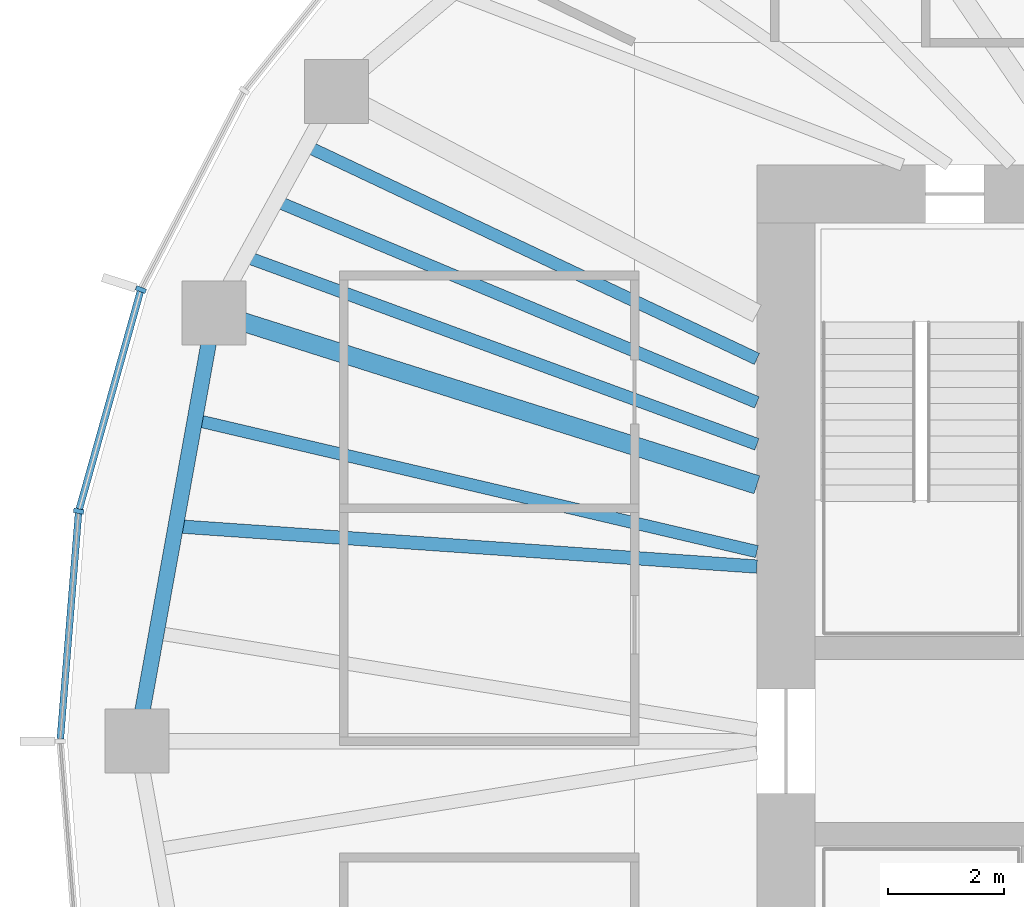
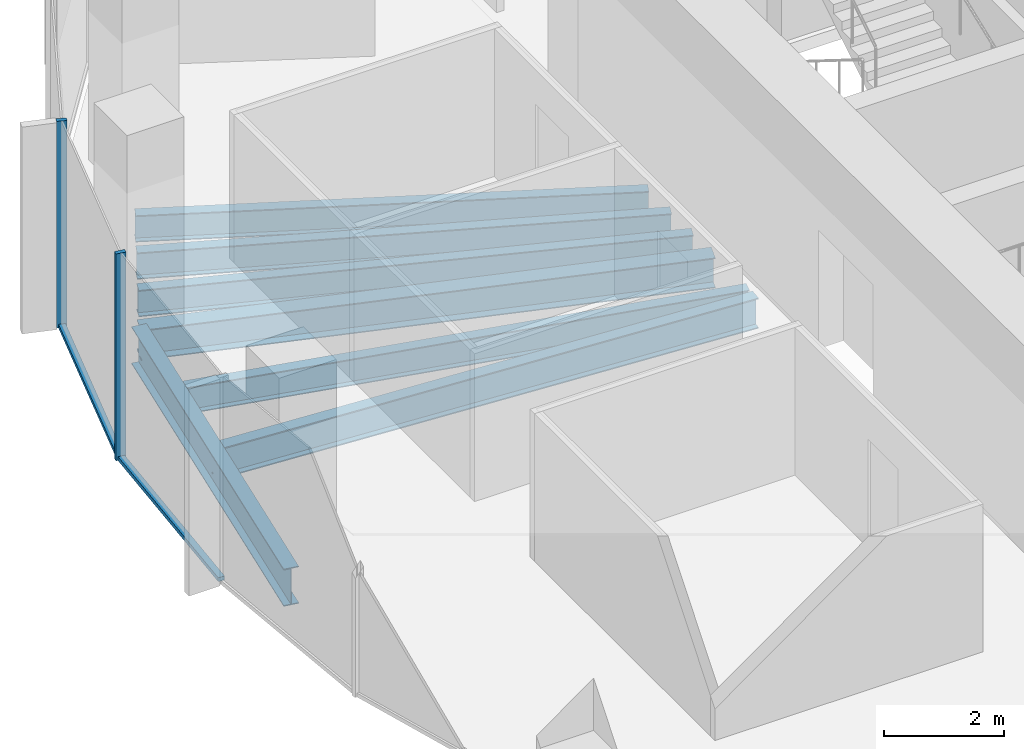
# One storey, part 3 of 12: 7 beams, 4 members, 1 element without a shape of its own.
"""IFC4 building model written with IfcOpenShell, lengths in metres."""

import ifcopenshell
import ifcopenshell.guid

model = None  # the IFC model being written
_history = None  # IfcOwnerHistory: only IFC2X3 demands one
_inside = {}  # id of a spatial element -> (the spatial element, [elements in it])
_under = {}  # id of a project, library or spatial element -> (it, [spatial elements below it])
_declared = {}  # id of a project -> (the project, [libraries it declares])
_typed = {}  # id of a type object -> (the type object, [elements of that type])
_made_of = {}  # id of a material, layer set ... -> (it, [elements and type objects made of it])


def new_model(schema):
    """Start an empty IFC model of exactly this schema.

    Asked for "IFC4X3", IfcOpenShell would pick the latest addendum, in which some entities
    have other attributes; the version numbers below select the first issue.
    IFC2X3 requires an IfcOwnerHistory on every rooted entity: one is made here for all.
    """
    global model, _history
    if schema == "IFC4X3":
        model = ifcopenshell.file(schema_version=(4, 3, 0, 0))
    else:
        model = ifcopenshell.file(schema=schema)
    _inside.clear()
    _under.clear()
    _declared.clear()
    _typed.clear()
    _made_of.clear()
    _history = None
    if model.schema == "IFC2X3":
        org = make("IfcOrganization", Name="unknown")
        user = make(
            "IfcPersonAndOrganization",
            ThePerson=make("IfcPerson", FamilyName="unknown"),
            TheOrganization=org,
        )
        app = make(
            "IfcApplication",
            ApplicationDeveloper=org,
            Version="unknown",
            ApplicationFullName="unknown",
            ApplicationIdentifier="unknown",
        )
        _history = make(
            "IfcOwnerHistory",
            OwningUser=user,
            OwningApplication=app,
            ChangeAction="ADDED",
            CreationDate=0,
        )
    return model


def make(cls, **values):
    """One entity of the class cls with the attributes given. An attribute that is None is left unset."""
    return model.create_entity(
        cls, **{name: value for name, value in values.items() if value is not None}
    )


def rooted(cls, **values):
    """An entity with a GlobalId (a new one), such as an element, a storey or a relation."""
    return make(cls, GlobalId=ifcopenshell.guid.new(), OwnerHistory=_history, **values)


def si_unit(unit_type, name, prefix=None):
    """IfcSIUnit, for example si_unit("LENGTHUNIT", "METRE", prefix="MILLI")."""
    return make("IfcSIUnit", UnitType=unit_type, Prefix=prefix, Name=name)


def assignment(units):
    """IfcUnitAssignment: the units of a project."""
    return None if units is None else make("IfcUnitAssignment", Units=units)


def point(xyz):
    """IfcCartesianPoint."""
    return None if xyz is None else make("IfcCartesianPoint", Coordinates=xyz)


def direction(xyz):
    """IfcDirection."""
    return None if xyz is None else make("IfcDirection", DirectionRatios=xyz)


def frame(location, z_axis=None, x_axis=None):
    """IfcAxis2Placement3D, a coordinate frame: its origin and axes. An axis left out is left unset."""
    return make(
        "IfcAxis2Placement3D",
        Location=point(location),
        Axis=direction(z_axis),
        RefDirection=direction(x_axis),
    )


def frame_2d(location, x_axis=None):
    """IfcAxis2Placement2D, a coordinate frame in the plane: its origin and x axis."""
    return make(
        "IfcAxis2Placement2D", Location=point(location), RefDirection=direction(x_axis)
    )


def origin():
    """The frame at (0, 0, 0) with its axes left unset."""
    return frame((0.0, 0.0, 0.0))


def origin_2d():
    """The frame at (0, 0) in the plane with its x axis left unset."""
    return frame_2d((0.0, 0.0))


def place(relative_to, where):
    """IfcLocalPlacement: puts the frame where relative to a parent placement (None: the world)."""
    return make(
        "IfcLocalPlacement", PlacementRelTo=relative_to, RelativePlacement=where
    )


def context(
    kind, dimensions, precision=None, world=None, true_north=None, identifier=None
):
    """IfcGeometricRepresentationContext, for example the 3D "Model" context."""
    return make(
        "IfcGeometricRepresentationContext",
        ContextIdentifier=identifier,
        ContextType=kind,
        CoordinateSpaceDimension=dimensions,
        Precision=precision,
        WorldCoordinateSystem=world,
        TrueNorth=true_north,
    )


def subcontext(parent, identifier, kind, view, scale=None):
    """IfcGeometricRepresentationSubContext, for example "Body" below "Model"."""
    return make(
        "IfcGeometricRepresentationSubContext",
        ContextIdentifier=identifier,
        ContextType=kind,
        ParentContext=parent,
        TargetScale=scale,
        TargetView=view,
    )


def project(units=None, contexts=None):
    """IfcProject with its units and contexts."""
    return rooted(
        "IfcProject",
        Name="project",
        RepresentationContexts=contexts,
        UnitsInContext=assignment(units),
    )


def spatial(cls, under=None, at=None, **own):
    """A site, building, storey or space (cls), placed at a placement, below another one or the project."""
    s = rooted(cls, ObjectPlacement=at, **own)
    if under is not None:
        _under.setdefault(under.id(), (under, []))[1].append(s)
    return s


def profile(cls, at=None, kind="AREA", **sizes):
    """A parametric profile (cls). Its sizes go by their IFC names, for example OverallWidth=200.0."""
    return make(cls, ProfileType=kind, Position=at, **sizes)


def rectangle(**sizes):
    """IfcRectangleProfileDef."""
    return profile("IfcRectangleProfileDef", **sizes)


def i_section(**sizes):
    """IfcIShapeProfileDef."""
    return profile("IfcIShapeProfileDef", **sizes)


def extrude(swept, where, along, depth):
    """IfcExtrudedAreaSolid: the profile swept, set in the frame where, extruded along a direction by depth."""
    return make(
        "IfcExtrudedAreaSolid",
        SweptArea=swept,
        Position=where,
        ExtrudedDirection=direction(along),
        Depth=depth,
    )


def shape(context_of_items, identifier, shape_type, items):
    """IfcShapeRepresentation: the items that make up one representation, for example the "Body"."""
    return make(
        "IfcShapeRepresentation",
        ContextOfItems=context_of_items,
        RepresentationIdentifier=identifier,
        RepresentationType=shape_type,
        Items=items,
    )


def material(Name=None, Category=None):
    """IfcMaterial."""
    return make("IfcMaterial", Name=Name, Category=Category)


def material_profile(
    of_material, cross_section, Name=None, Category=None, Priority=None
):
    """IfcMaterialProfile: a cross section and its material."""
    return make(
        "IfcMaterialProfile",
        Name=Name,
        Material=of_material,
        Profile=cross_section,
        Priority=Priority,
        Category=Category,
    )


def profile_set(profiles, Name=None, composite=None):
    """IfcMaterialProfileSet."""
    return make(
        "IfcMaterialProfileSet",
        Name=Name,
        MaterialProfiles=profiles,
        CompositeProfile=composite,
    )


def made_of(thing, what):
    """Note that an element or type object is made of a material, layer set ...; save() writes the relation."""
    if what is not None:
        _made_of.setdefault(what.id(), (what, []))[1].append(thing)
    return thing


def type_object(cls, material=None, **own):
    """A type object (cls), such as IfcWallType, which elements share."""
    return made_of(rooted(cls, **own), material)


def element(
    cls,
    number,
    at=None,
    inside=None,
    cuts=None,
    type_object=None,
    material=None,
    context=None,
    identifier="Body",
    shape_type=None,
    held_by="IfcProductDefinitionShape",
    body=None,
    shapes=None,
    **own,
):
    """One element of the class cls, such as IfcWall. Its Tag is "e" and its number.

    at: its placement. inside: the storey or other place that contains it. cuts: it is an
    opening in that element (IfcRelVoidsElement). A single representation is given by context,
    identifier, shape_type and body (its items); several are given by shapes. held_by: the class
    of the entity that holds the representations. save() writes the other relations.
    """
    e = rooted(cls, Tag="e%d" % number, ObjectPlacement=at, **own)
    if body is not None:
        shapes = [shape(context, identifier, shape_type, body)]
    if shapes is not None:
        e.Representation = make(held_by, Representations=shapes)
    if inside is not None:
        _inside.setdefault(inside.id(), (inside, []))[1].append(e)
    if cuts is not None:
        rooted(
            "IfcRelVoidsElement", RelatingBuildingElement=cuts, RelatedOpeningElement=e
        )
    if type_object is not None:
        _typed.setdefault(type_object.id(), (type_object, []))[1].append(e)
    return made_of(e, material)


def aggregate(whole, parts):
    """IfcRelAggregates: a whole, such as a stair, and the parts it consists of."""
    return rooted("IfcRelAggregates", RelatingObject=whole, RelatedObjects=parts)


def save(model, path):
    """Write the relations noted so far, then the file.

    IfcRelAggregates (storeys below a building ...), IfcRelContainedInSpatialStructure (elements
    in a storey), IfcRelDefinesByType, IfcRelAssociatesMaterial and IfcRelDeclares: one each for
    every whole, place, type object, material and project.
    """
    for whole, parts in _under.values():
        aggregate(whole, parts)
    for where, things in _inside.values():
        rooted(
            "IfcRelContainedInSpatialStructure",
            RelatedElements=things,
            RelatingStructure=where,
        )
    for kind, things in _typed.values():
        rooted("IfcRelDefinesByType", RelatedObjects=things, RelatingType=kind)
    for what, things in _made_of.values():
        rooted("IfcRelAssociatesMaterial", RelatedObjects=things, RelatingMaterial=what)
    for by, libraries in _declared.values():
        rooted("IfcRelDeclares", RelatingContext=by, RelatedDefinitions=libraries)
    model.write(path)


model = new_model("IFC4")

# Units and contexts
model_context = context("Model", 3, precision=1e-05, world=origin(), true_north=direction((0.0, 1.0)))
body_context = subcontext(model_context, "Body", "Model", "MODEL_VIEW")
ifc_project = project(units=[si_unit("LENGTHUNIT", "METRE"), si_unit("AREAUNIT", "SQUARE_METRE"), si_unit("VOLUMEUNIT", "CUBIC_METRE"), si_unit("PLANEANGLEUNIT", "RADIAN"), si_unit("MASSUNIT", "GRAM", prefix="KILO")], contexts=[model_context])

# Site, building, storey
site_placement = place(None, origin())
site = spatial("IfcSite", under=ifc_project, at=site_placement, CompositionType="ELEMENT")
building_placement = place(site_placement, origin())
building = spatial("IfcBuilding", under=site, at=building_placement, Name="Ghaith Harvest Tower", CompositionType="ELEMENT")
storey_placement = place(building_placement, frame((0.0, 0.0, 296.39990234375)))
storey = spatial("IfcBuildingStorey", under=building, at=storey_placement, Name="L66", CompositionType="ELEMENT", Elevation=296.39990234375)

# Curtain wall, members
ifc_material_1 = material(Name="Black anodised aluminium and fritted glass", Category="aluminium")
curtain_wall_type = type_object("IfcCurtainWallType", Name="CW-T CURTAIN WALL", PredefinedType="NOTDEFINED", material=ifc_material_1)
curtain_wall_placement = place(storey_placement, origin())
curtain_wall = element("IfcCurtainWall", 1, at=curtain_wall_placement, inside=storey, type_object=curtain_wall_type, Name="Curtain wall CW-T bay 10 L66", PredefinedType="NOTDEFINED")
ifc_material_2 = material(Name="Aluminium, black anodised", Category="aluminium")
ifc_material_profile_1 = material_profile(ifc_material_2, rectangle(XDim=0.080078125, YDim=0.179931640625, at=origin_2d()), Name="CW-T MULLION 80x180")
ifc_profile_set_1 = profile_set([ifc_material_profile_1], Name="Aluminium, black anodised")
member_type_1 = type_object("IfcMemberType", Name="CW-T MULLION 80x180", PredefinedType="MULLION", material=ifc_profile_set_1)
member_1_placement = place(storey_placement, frame((-24.482666015625, 7.759033203125, 0.0), z_axis=(0.0, 0.0, 1.0), x_axis=(-0.366473104961, -0.930428644948, 0.0)))
member_1 = element("IfcMember", 2, at=member_1_placement, type_object=member_type_1, Name="CW-T mullion 1 bay 10 L66", PredefinedType="MULLION", context=body_context, shape_type="SweptSolid", body=[
    extrude(rectangle(XDim=0.080078125, YDim=0.179931640625, at=origin_2d()), origin(), (0.0, 0.0, 1.0), 4.2001953125),
])
member_2_placement = place(storey_placement, frame((-25.5517578125, 3.9521484375, 0.0), z_axis=(0.0, 0.0, 1.0), x_axis=(-0.176001390642, -0.984389917915, 0.0)))
member_2 = element("IfcMember", 3, at=member_2_placement, type_object=member_type_1, Name="CW-T mullion 2 bay 10 L66", PredefinedType="MULLION", context=body_context, shape_type="SweptSolid", body=[
    extrude(rectangle(XDim=0.080078125, YDim=0.179931640625, at=origin_2d()), origin(), (0.0, 0.0, 1.0), 4.2001953125),
])
ifc_material_3 = material(Name="Aluminium, black anodised", Category="aluminium")
ifc_material_profile_2 = material_profile(ifc_material_3, rectangle(XDim=0.1201171875, YDim=0.080078125, at=origin_2d()), Name="CW-T TRANSOM 120x80")
ifc_profile_set_2 = profile_set([ifc_material_profile_2], Name="Aluminium, black anodised")
member_type_2 = type_object("IfcMemberType", Name="CW-T TRANSOM 120x80", PredefinedType="USERDEFINED", material=ifc_profile_set_2)
member_3_placement = place(storey_placement, frame((-24.49365234375, 7.720458984375, 0.0400390625), z_axis=(-0.270340422972, -0.962764797709, 0.0), x_axis=(0.962764797709, -0.270340422972, 0.0)))
member_3 = element("IfcMember", 4, at=member_3_placement, type_object=member_type_2, Name="CW-T transom 1 bay 10 L66", ObjectType="TRANSOM", PredefinedType="USERDEFINED", context=body_context, shape_type="SweptSolid", body=[
    extrude(rectangle(XDim=0.1201171875, YDim=0.080078125, at=origin_2d()), origin(), (0.0, 0.0, 1.0), 3.874267578125),
])
member_4_placement = place(storey_placement, frame((-25.554931640625, 3.912109375, 0.0400390625), z_axis=(-0.08025226314, -0.996774585481, 0.0), x_axis=(0.996774585481, -0.08025226314, 0.0)))
member_4 = element("IfcMember", 5, at=member_4_placement, type_object=member_type_2, Name="CW-T transom 2 bay 10 L66", ObjectType="TRANSOM", PredefinedType="USERDEFINED", context=body_context, shape_type="SweptSolid", body=[
    extrude(rectangle(XDim=0.1201171875, YDim=0.080078125, at=origin_2d()), origin(), (0.0, 0.0, 1.0), 3.884765625),
])
aggregate(curtain_wall, [member_1, member_3, member_2, member_4])

# Beams
ifc_material_4 = material(Name="Steel ASTM A992 Grade 50", Category="steel")
ifc_material_profile_3 = material_profile(ifc_material_4, i_section(OverallWidth=0.26611328125, OverallDepth=0.758056640625, WebThickness=0.013916015625, FlangeThickness=0.019287109375, at=origin_2d()), Name="W760X161")
ifc_profile_set_3 = profile_set([ifc_material_profile_3], Name="Steel ASTM A992 Grade 50")
beam_type_1 = type_object("IfcBeamType", Name="E760-161 W760X161", PredefinedType="SPANDREL", material=ifc_profile_set_3)
beam_1_placement = place(storey_placement, frame((-23.22412109375, 7.360107421875, -0.548828125), z_axis=(-0.177296554745, -0.984157473007, 0.0), x_axis=(0.984157473007, -0.177296554745, 0.0)))
element("IfcBeam", 6, at=beam_1_placement, inside=storey, type_object=beam_type_1, Name="Edge beam E10 L66", PredefinedType="SPANDREL", context=body_context, shape_type="SweptSolid", body=[
    extrude(i_section(OverallWidth=0.26611328125, OverallDepth=0.758056640625, WebThickness=0.013916015625, FlangeThickness=0.019287109375, at=origin_2d()), origin(), (0.0, 0.0, 1.0), 7.478515625),
])
ifc_material_5 = material(Name="Steel ASTM A992 Grade 50", Category="steel")
ifc_material_profile_4 = material_profile(ifc_material_5, i_section(OverallWidth=0.323974609375, OverallDepth=0.611083984375, WebThickness=0.0126953125, FlangeThickness=0.01904296875, at=origin_2d()), Name="W610X155")
ifc_profile_set_4 = profile_set([ifc_material_profile_4], Name="Steel ASTM A992 Grade 50")
beam_type_2 = type_object("IfcBeamType", Name="G610-155 W610X155", PredefinedType="BEAM", material=ifc_profile_set_4)
beam_2_placement = place(storey_placement, frame((-13.89990234375, 4.4052734375, -0.475341796875), z_axis=(-0.953278508772, 0.302092841215, 0.0), x_axis=(-0.302092841215, -0.953278508772, 0.0)))
element("IfcBeam", 7, at=beam_2_placement, inside=storey, type_object=beam_type_2, Name="Radial girder G10 L66", PredefinedType="BEAM", context=body_context, shape_type="SweptSolid", body=[
    extrude(i_section(OverallWidth=0.323974609375, OverallDepth=0.611083984375, WebThickness=0.0126953125, FlangeThickness=0.01904296875, at=origin_2d()), origin(), (0.0, 0.0, 1.0), 9.78125),
])
ifc_material_6 = material(Name="Steel ASTM A992 Grade 50", Category="steel")
ifc_material_profile_5 = material_profile(ifc_material_6, i_section(OverallWidth=0.2109375, OverallDepth=0.5390625, WebThickness=0.01171875, FlangeThickness=0.018798828125, at=origin_2d()), Name="W530X109")
ifc_profile_set_5 = profile_set([ifc_material_profile_5], Name="Steel ASTM A992 Grade 50")
beam_type_3 = type_object("IfcBeamType", Name="J530-109 W530X109", PredefinedType="JOIST", material=ifc_profile_set_5)
beam_3_placement = place(storey_placement, frame((-13.89990234375, 6.56787109375, -0.439453125), z_axis=(-0.904165769726, 0.427181765594, 0.0), x_axis=(-0.427181765594, -0.904165769726, 0.0)))
element("IfcBeam", 8, at=beam_3_placement, inside=storey, type_object=beam_type_3, Name="Joist J09.1 L66", PredefinedType="JOIST", context=body_context, shape_type="SweptSolid", body=[
    extrude(i_section(OverallWidth=0.2109375, OverallDepth=0.5390625, WebThickness=0.01171875, FlangeThickness=0.018798828125, at=origin_2d()), origin(), (0.0, 0.0, 1.0), 8.564208984375),
])
beam_4_placement = place(storey_placement, frame((-13.89990234375, 5.82080078125, -0.439453125), z_axis=(-0.922394258818, 0.38624970071, 0.0), x_axis=(-0.38624970071, -0.922394258818, 0.0)))
element("IfcBeam", 9, at=beam_4_placement, inside=storey, type_object=beam_type_3, Name="Joist J09.2 L66", PredefinedType="JOIST", context=body_context, shape_type="SweptSolid", body=[
    extrude(i_section(OverallWidth=0.2109375, OverallDepth=0.5390625, WebThickness=0.01171875, FlangeThickness=0.018798828125, at=origin_2d()), origin(), (0.0, 0.0, 1.0), 8.959716796875),
])
beam_5_placement = place(storey_placement, frame((-13.89990234375, 5.101318359375, -0.439453125), z_axis=(-0.938776837502, 0.34452583266, 0.0), x_axis=(-0.34452583266, -0.938776837502, 0.0)))
element("IfcBeam", 10, at=beam_5_placement, inside=storey, type_object=beam_type_3, Name="Joist J09.3 L66", PredefinedType="JOIST", context=body_context, shape_type="SweptSolid", body=[
    extrude(i_section(OverallWidth=0.2109375, OverallDepth=0.5390625, WebThickness=0.01171875, FlangeThickness=0.018798828125, at=origin_2d()), origin(), (0.0, 0.0, 1.0), 9.36376953125),
])
beam_6_placement = place(storey_placement, frame((-13.89990234375, 3.257080078125, -0.439453125), z_axis=(-0.973623403271, 0.228161058472, 0.0), x_axis=(-0.228161058472, -0.973623403271, 0.0)))
element("IfcBeam", 11, at=beam_6_placement, inside=storey, type_object=beam_type_3, Name="Joist J10.1 L66", PredefinedType="JOIST", context=body_context, shape_type="SweptSolid", body=[
    extrude(i_section(OverallWidth=0.2109375, OverallDepth=0.5390625, WebThickness=0.01171875, FlangeThickness=0.018798828125, at=origin_2d()), origin(), (0.0, 0.0, 1.0), 9.9169921875),
])
ifc_material_7 = material(Name="Steel ASTM A992 Grade 50", Category="steel")
ifc_material_profile_6 = material_profile(ifc_material_7, i_section(OverallWidth=0.22998046875, OverallDepth=0.616943359375, WebThickness=0.01318359375, FlangeThickness=0.022216796875, at=origin_2d()), Name="W610X140")
ifc_profile_set_6 = profile_set([ifc_material_profile_6], Name="Steel ASTM A992 Grade 50")
beam_type_4 = type_object("IfcBeamType", Name="J610-140 W610X140", PredefinedType="JOIST", material=ifc_profile_set_6)
beam_7_placement = place(storey_placement, frame((-13.89990234375, 3.0, -0.478515625), z_axis=(-0.997592478057, 0.069348739886, 0.0), x_axis=(-0.069348739886, -0.997592478057, 0.0)))
element("IfcBeam", 12, at=beam_7_placement, inside=storey, type_object=beam_type_4, Name="Joist J10.2 L66", PredefinedType="JOIST", context=body_context, shape_type="SweptSolid", body=[
    extrude(i_section(OverallWidth=0.22998046875, OverallDepth=0.616943359375, WebThickness=0.01318359375, FlangeThickness=0.022216796875, at=origin_2d()), origin(), (0.0, 0.0, 1.0), 10.0087890625),
])

save(model, "model.ifc")
